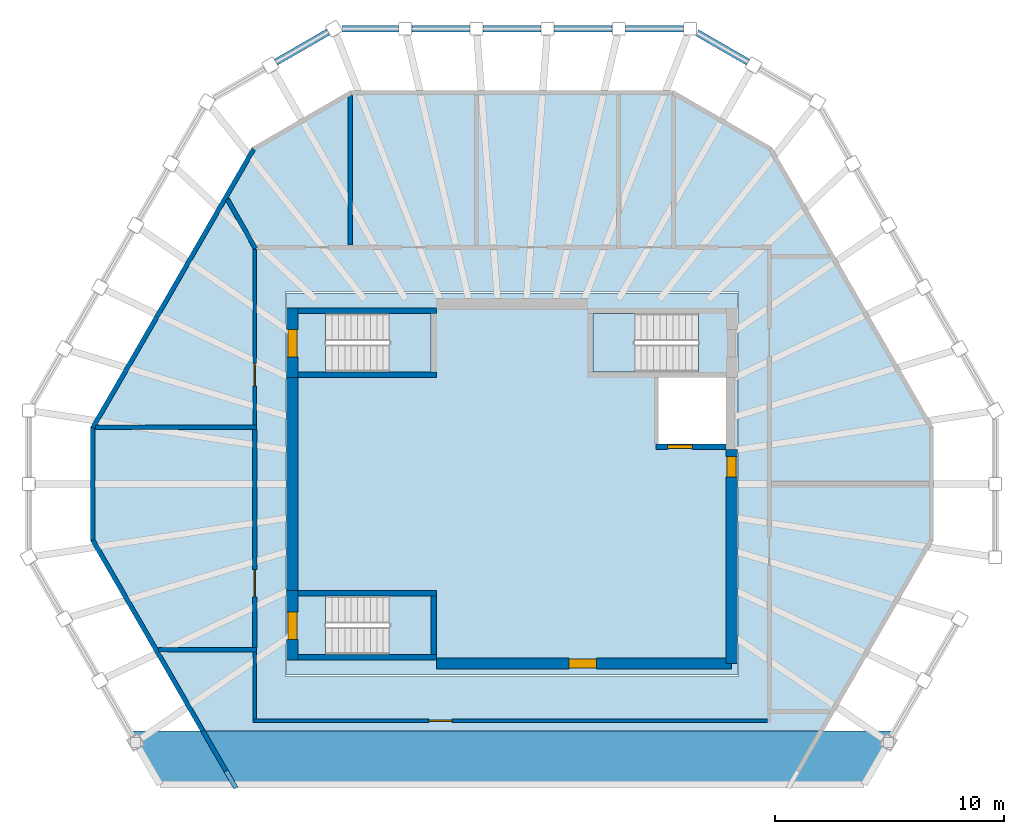
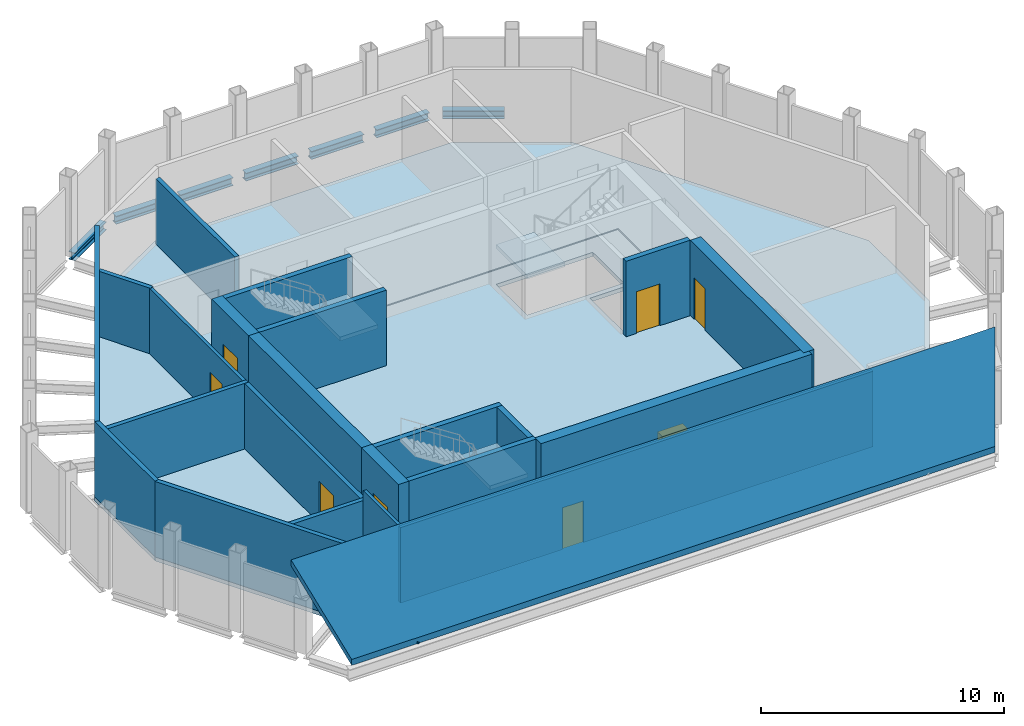
# One storey, part 2 of 5: 23 walls, 8 doors, 7 beams, 6 slabs, 8 openings, 3 elements without a shape of their own.
"""IFC4 building model written with IfcOpenShell, lengths in metres."""

from ifc_helpers import new_model, si_unit, direction, frame, frame_2d, origin, origin_2d, place, context, subcontext, project, spatial, polyline, rectangle, i_section, outline, extrude, material, layer, layer_set, material_profile, profile_set, type_object, element, fill, aggregate, save


model = new_model("IFC4")

# Units and contexts
model_context = context("Model", 3, precision=1e-05, world=origin(), true_north=direction((0.0, 1.0)))
body_context = subcontext(model_context, "Body", "Model", "MODEL_VIEW")
ifc_project = project(units=[si_unit("LENGTHUNIT", "METRE"), si_unit("AREAUNIT", "SQUARE_METRE"), si_unit("VOLUMEUNIT", "CUBIC_METRE"), si_unit("PLANEANGLEUNIT", "RADIAN"), si_unit("MASSUNIT", "GRAM", prefix="KILO")], contexts=[model_context])

# Site, building, storey
site_placement = place(None, origin())
site = spatial("IfcSite", under=ifc_project, at=site_placement, CompositionType="ELEMENT")
building_placement = place(site_placement, origin())
building = spatial("IfcBuilding", under=site, at=building_placement, Name="Frailejon Research Tower", CompositionType="ELEMENT")
storey_placement = place(building_placement, frame((0.0, 0.0, 352.60009765625)))
storey = spatial("IfcBuildingStorey", under=building, at=storey_placement, Name="L79", CompositionType="ELEMENT", Elevation=352.60009765625)

# Beams
ifc_material_1 = material(Name="Steel S355", Category="steel")
ifc_material_profile = material_profile(ifc_material_1, i_section(OverallWidth=0.300048828125, OverallDepth=0.39990234375, WebThickness=0.013427734375, FlangeThickness=0.02392578125, FilletRadius=0.027099609375, at=origin_2d()), Name="HE 400 B")
ifc_profile_set = profile_set([ifc_material_profile], Name="Steel S355")
beam_type = type_object("IfcBeamType", Name="Crown ring beam", PredefinedType="BEAM", material=ifc_profile_set)
beam_1_placement = place(storey_placement, frame((10.303955078125, 18.447021484375, -0.400146484375), z_axis=(-0.866039463868, 0.499975646431, 0.0), x_axis=(-0.499975646431, -0.866039463868, 0.0)))
element("IfcBeam", 1, at=beam_1_placement, inside=storey, type_object=beam_type, Name="Crown ring beam", PredefinedType="BEAM", context=body_context, shape_type="SweptSolid", body=[
    extrude(i_section(OverallWidth=0.300048828125, OverallDepth=0.39990234375, WebThickness=0.013427734375, FlangeThickness=0.02392578125, FilletRadius=0.027099609375, at=origin_2d()), origin(), (0.0, 0.0, 1.0), 2.559814453125),
])
for number, where, z_axis, x_axis, name in (
    (2, (7.4873046875, 19.89990234375, -0.400146484375), (-1.0, 0.0, 0.0), (0.0, -1.0, 0.0), "Crown ring beam"),
    (3, (4.372314453125, 19.89990234375, -0.400146484375), (-1.0, 0.0, 0.0), (0.0, -1.0, 0.0), "Crown ring beam"),
):
    element("IfcBeam", number, at=place(storey_placement, frame(where, z_axis=z_axis, x_axis=x_axis)), inside=storey, type_object=beam_type, Name=name, PredefinedType="BEAM", context=body_context, shape_type="SweptSolid", body=[
        extrude(i_section(OverallWidth=0.300048828125, OverallDepth=0.39990234375, WebThickness=0.013427734375, FlangeThickness=0.02392578125, FilletRadius=0.027099609375, at=origin_2d()), origin(), (0.0, 0.0, 1.0), 2.514892578125),
    ])
beam_2_placement = place(storey_placement, frame((1.25732421875, 19.89990234375, -0.400146484375), z_axis=(-1.0, 0.0, 0.0), x_axis=(0.0, -1.0, 0.0)))
element("IfcBeam", 4, at=beam_2_placement, inside=storey, type_object=beam_type, Name="Crown ring beam", PredefinedType="BEAM", context=body_context, shape_type="SweptSolid", body=[
    extrude(i_section(OverallWidth=0.300048828125, OverallDepth=0.39990234375, WebThickness=0.013427734375, FlangeThickness=0.02392578125, FilletRadius=0.027099609375, at=origin_2d()), origin(), (0.0, 0.0, 1.0), 2.5146484375),
])
beam_3_placement = place(storey_placement, frame((-1.857421875, 19.89990234375, -0.400146484375), z_axis=(-1.0, 0.0, 0.0), x_axis=(0.0, -1.0, 0.0)))
element("IfcBeam", 5, at=beam_3_placement, inside=storey, type_object=beam_type, Name="Crown ring beam", PredefinedType="BEAM", context=body_context, shape_type="SweptSolid", body=[
    extrude(i_section(OverallWidth=0.300048828125, OverallDepth=0.39990234375, WebThickness=0.013427734375, FlangeThickness=0.02392578125, FilletRadius=0.027099609375, at=origin_2d()), origin(), (0.0, 0.0, 1.0), 2.514892578125),
])
beam_4_placement = place(storey_placement, frame((-4.972412109375, 19.89990234375, -0.400146484375), z_axis=(-1.0, 0.0, 0.0), x_axis=(0.0, -1.0, 0.0)))
element("IfcBeam", 6, at=beam_4_placement, inside=storey, type_object=beam_type, Name="Crown ring beam", PredefinedType="BEAM", context=body_context, shape_type="SweptSolid", body=[
    extrude(i_section(OverallWidth=0.300048828125, OverallDepth=0.39990234375, WebThickness=0.013427734375, FlangeThickness=0.02392578125, FilletRadius=0.027099609375, at=origin_2d()), origin(), (0.0, 0.0, 1.0), 2.468505859375),
])
beam_5_placement = place(storey_placement, frame((-8.047119140625, 19.75, -0.400146484375), z_axis=(-0.866026453994, -0.499998180979, 0.0), x_axis=(0.499998180979, -0.866026453994, 0.0)))
element("IfcBeam", 7, at=beam_5_placement, inside=storey, type_object=beam_type, Name="Crown ring beam", PredefinedType="BEAM", context=body_context, shape_type="SweptSolid", body=[
    extrude(i_section(OverallWidth=0.300048828125, OverallDepth=0.39990234375, WebThickness=0.013427734375, FlangeThickness=0.02392578125, FilletRadius=0.027099609375, at=origin_2d()), origin(), (0.0, 0.0, 1.0), 2.60595703125),
])

# Slabs
ifc_material_2 = material(Name="Concrete C50/60", Category="concrete")
ifc_layer_1 = layer(ifc_material_2, 0.199951171875)
ifc_layer_set_1 = layer_set([ifc_layer_1], Name="Core floor slab 200 C50/60")
slab_type_1 = type_object("IfcSlabType", Name="Core floor slab 200 C50/60", PredefinedType="FLOOR", material=ifc_layer_set_1)
slab_1_placement = place(storey_placement, frame((0.0, 0.0, -0.2001953125)))
element("IfcSlab", 8, at=slab_1_placement, inside=storey, type_object=slab_type_1, Name="Core floor slab", PredefinedType="FLOOR", context=body_context, shape_type="SweptSolid", body=[
    extrude(outline(polyline([(-9.85009765625, -8.35009765625), (-9.85009765625, 8.35009765625), (9.85009765625, 8.35009765625), (9.85009765625, -8.35009765625), (-9.85009765625, -8.35009765625)]), holes=[polyline([(9.35009765625, 1.75), (9.35009765625, 4.64990234375), (6.39990234375, 4.64990234375), (6.39990234375, 1.75), (9.35009765625, 1.75)]), polyline([(-8.14697265625, 4.89990234375), (-3.550048828125, 4.89990234375), (-3.550048828125, 7.449951171875), (-8.14697265625, 7.449951171875), (-8.14697265625, 4.89990234375)]), polyline([(-8.14697265625, -7.449951171875), (-3.550048828125, -7.449951171875), (-3.550048828125, -4.89990234375), (-8.14697265625, -4.89990234375), (-8.14697265625, -7.449951171875)]), polyline([(8.14697265625, 7.449951171875), (3.550048828125, 7.449951171875), (3.550048828125, 4.89990234375), (8.14697265625, 4.89990234375), (8.14697265625, 7.449951171875)])]), origin(), (0.0, 0.0, 1.0), 0.2001953125),
])
ifc_material_3 = material(Name="Safety glass roof panel on steel frame", Category="steel")
ifc_layer_2 = layer(ifc_material_3, 0.300048828125)
ifc_layer_set_2 = layer_set([ifc_layer_2], Name="Crown glazed roof facet 300")
slab_type_2 = type_object("IfcSlabType", Name="Crown glazed roof facet 300", PredefinedType="ROOF", material=ifc_layer_set_2)
slab_2_placement = place(storey_placement, frame((-16.747314453125, -10.792724609375, 4.0), z_axis=(0.0, -0.848044827073, 0.529924495824), x_axis=(1.0, 0.0, 0.0)))
element("IfcSlab", 9, at=slab_2_placement, inside=storey, type_object=slab_type_2, Name="Crown glazed roof facet 3", PredefinedType="ROOF", context=body_context, shape_type="SweptSolid", body=[
    extrude(outline(polyline([(0.0, 0.0), (33.49462890625, 0.0), (32.051513671875, -4.716731795657729), (1.443115234375, -4.716731795657729), (0.0, 0.0)])), origin(), (0.0, 0.848044827073, 0.529924495824), 0.300048828125),
])
ifc_material_4 = material(Name="Concrete C30/37", Category="concrete")
ifc_layer_3 = layer(ifc_material_4, 0.199951171875)
ifc_layer_set_3 = layer_set([ifc_layer_3], Name="Crown slab 200")
slab_type_3 = type_object("IfcSlabType", Name="Crown slab 200", PredefinedType="FLOOR", material=ifc_layer_set_3)
slab_3_placement = place(storey_placement, frame((0.0, 0.0, -0.2001953125)))
element("IfcSlab", 10, at=slab_3_placement, inside=storey, type_object=slab_type_3, Name="Floor slab L79", PredefinedType="FLOOR", context=body_context, shape_type="SweptSolid", body=[
    extrude(outline(polyline([(-11.36376953125, 14.71728515625), (-18.427490234375, 2.482666015625), (-18.427490234375, -2.482666015625), (-12.439208984375, -12.854736328125), (12.439208984375, -12.854736328125), (18.427490234375, -2.482666015625), (18.427490234375, 2.482666015625), (11.36376953125, 14.71728515625), (7.063720703125, 17.199951171875), (-7.063720703125, 17.199951171875), (-11.36376953125, 14.71728515625)]), holes=[polyline([(9.909912109375, 8.409912109375), (9.909912109375, -8.409912109375), (-9.909912109375, -8.409912109375), (-9.909912109375, 8.409912109375), (9.909912109375, 8.409912109375)])]), origin(), (0.0, 0.0, 1.0), 0.2001953125),
])

# Stair, slab
ifc_material_5 = material(Name="Concrete C50/60", Category="concrete")
stair_type = type_object("IfcStairType", Name="Exit stair 22 risers", PredefinedType="HALF_TURN_STAIR", material=ifc_material_5)
stair_1_placement = place(storey_placement, origin())
stair_1 = element("IfcStair", 11, at=stair_1_placement, inside=storey, type_object=stair_type, Name="L79 Exit stair ST1", PredefinedType="HALF_TURN_STAIR")
ifc_material_6 = material(Name="Concrete C50/60", Category="concrete")
ifc_layer_4 = layer(ifc_material_6, 0.199951171875)
ifc_layer_set_4 = layer_set([ifc_layer_4], Name="Stair landing slab 200")
slab_type_4 = type_object("IfcSlabType", Name="Stair landing slab 200", PredefinedType="LANDING", material=ifc_layer_set_4)
slab_4_placement = place(storey_placement, frame((0.0, 0.0, 1.7998046875)))
slab_4 = element("IfcSlab", 12, at=slab_4_placement, type_object=slab_type_4, Name="ST1 landing 1", PredefinedType="LANDING", context=body_context, shape_type="SweptSolid", body=[
    extrude(outline(polyline([(-5.35009765625, 4.89990234375), (-3.550048828125, 4.89990234375), (-3.550048828125, 7.449951171875), (-5.35009765625, 7.449951171875), (-5.35009765625, 4.89990234375)])), origin(), (0.0, 0.0, 1.0), 0.2001953125),
])
aggregate(stair_1, [slab_4])

stair_2_placement = place(storey_placement, origin())
stair_2 = element("IfcStair", 13, at=stair_2_placement, inside=storey, type_object=stair_type, Name="L79 Exit stair ST2", PredefinedType="HALF_TURN_STAIR")
slab_5_placement = place(storey_placement, frame((0.0, 0.0, 1.7998046875)))
slab_5 = element("IfcSlab", 14, at=slab_5_placement, type_object=slab_type_4, Name="ST2 landing 1", PredefinedType="LANDING", context=body_context, shape_type="SweptSolid", body=[
    extrude(outline(polyline([(-5.35009765625, -7.449951171875), (-3.550048828125, -7.449951171875), (-3.550048828125, -4.89990234375), (-5.35009765625, -4.89990234375), (-5.35009765625, -7.449951171875)])), origin(), (0.0, 0.0, 1.0), 0.2001953125),
])
aggregate(stair_2, [slab_5])

stair_3_placement = place(storey_placement, origin())
stair_3 = element("IfcStair", 15, at=stair_3_placement, inside=storey, type_object=stair_type, Name="L79 Exit stair ST3", PredefinedType="HALF_TURN_STAIR")
slab_6_placement = place(storey_placement, frame((0.0, 0.0, 1.7998046875)))
slab_6 = element("IfcSlab", 16, at=slab_6_placement, type_object=slab_type_4, Name="ST3 landing 1", PredefinedType="LANDING", context=body_context, shape_type="SweptSolid", body=[
    extrude(outline(polyline([(5.35009765625, 7.449951171875), (3.550048828125, 7.449951171875), (3.550048828125, 4.89990234375), (5.35009765625, 4.89990234375), (5.35009765625, 7.449951171875)])), origin(), (0.0, 0.0, 1.0), 0.2001953125),
])
aggregate(stair_3, [slab_6])

# Wall, opening, door
ifc_material_7 = material(Name="Concrete C50/60", Category="concrete")
ifc_layer_5 = layer(ifc_material_7, 0.5)
ifc_layer_set_5 = layer_set([ifc_layer_5], Name="Core shear wall 500 C50/60")
wall_type_1 = type_object("IfcWallType", Name="Core shear wall 500 C50/60", PredefinedType="SHEAR", material=ifc_layer_set_5)
wall_1_placement = place(storey_placement, frame((9.60009765625, -7.85009765625, 0.0), z_axis=(0.0, 0.0, 1.0), x_axis=(0.0, 1.0, 0.0)))
wall_1 = element("IfcWall", 17, at=wall_1_placement, inside=storey, type_object=wall_type_1, Name="Core shear wall", PredefinedType="SHEAR", context=body_context, shape_type="SweptSolid", body=[
    extrude(rectangle(XDim=9.35009765625, YDim=0.5, at=frame_2d((4.675048828125, 0.0))), origin(), (0.0, 0.0, 1.0), 3.7998046875),
])
opening_1_placement = place(wall_1_placement, frame((8.14990234375, 0.0, 0.0)))
opening_1 = element("IfcOpeningElement", 18, at=opening_1_placement, cuts=wall_1, Name="Opening D8", PredefinedType="OPENING", context=body_context, shape_type="SweptSolid", body=[
    extrude(rectangle(XDim=0.89990234375, YDim=2.10009765625, at=frame_2d((0.449951171875, 1.050048828125))), frame((0.0, 0.260009765625, 0.0), z_axis=(0.0, -1.0, 0.0), x_axis=(1.0, 0.0, 0.0)), (0.0, 0.0, 1.0), 0.52001953125),
])
ifc_material_8 = material(Name="Steel", Category="steel")
door_type_1 = type_object("IfcDoorType", Name="Core room door", OperationType="SINGLE_SWING_LEFT", PredefinedType="DOOR", material=ifc_material_8)
door_1_placement = place(opening_1_placement, origin())
door_1 = element("IfcDoor", 19, at=door_1_placement, inside=storey, type_object=door_type_1, Name="Lift lobby door", OperationType="SINGLE_SWING_LEFT", OverallHeight=2.10009765625, OverallWidth=0.89990234375, PredefinedType="DOOR", context=body_context, shape_type="SweptSolid", body=[
    extrude(rectangle(XDim=0.89990234375, YDim=2.10009765625, at=frame_2d((0.449951171875, 1.050048828125))), frame((0.0, 0.199951171875, 0.0), z_axis=(0.0, -1.0, 0.0), x_axis=(1.0, 0.0, 0.0)), (0.0, 0.0, 1.0), 0.39990234375),
])
fill(opening_1, door_1)

# Wall
wall_2_placement = place(storey_placement, frame((-9.60009765625, 4.64990234375, 0.0), z_axis=(0.0, 0.0, 1.0), x_axis=(0.0, -1.0, 0.0)))
element("IfcWall", 20, at=wall_2_placement, inside=storey, type_object=wall_type_1, Name="Core shear wall", PredefinedType="SHEAR", context=body_context, shape_type="SweptSolid", body=[
    extrude(rectangle(XDim=9.2998046875, YDim=0.5, at=frame_2d((4.64990234375, 0.0))), origin(), (0.0, 0.0, 1.0), 3.7998046875),
])

# Wall, opening, door
wall_3_placement = place(storey_placement, frame((-3.300048828125, -7.85009765625, 0.0), z_axis=(0.0, 0.0, 1.0), x_axis=(1.0, 0.0, 0.0)))
wall_3 = element("IfcWall", 21, at=wall_3_placement, inside=storey, type_object=wall_type_1, Name="Core shear wall", PredefinedType="SHEAR", context=body_context, shape_type="SweptSolid", body=[
    extrude(rectangle(XDim=12.900146484375, YDim=0.5, at=frame_2d((6.4501953125, 0.0))), origin(), (0.0, 0.0, 1.0), 3.7998046875),
])
opening_2_placement = place(wall_3_placement, frame((5.800048828125, 0.0, 0.0)))
opening_2 = element("IfcOpeningElement", 22, at=opening_2_placement, cuts=wall_3, Name="Opening D6", PredefinedType="OPENING", context=body_context, shape_type="SweptSolid", body=[
    extrude(rectangle(XDim=1.199951171875, YDim=2.10009765625, at=frame_2d((0.60009765625, 1.050048828125))), frame((0.0, 0.260009765625, 0.0), z_axis=(0.0, -1.0, 0.0), x_axis=(1.0, 0.0, 0.0)), (0.0, 0.0, 1.0), 0.52001953125),
])
ifc_material_9 = material(Name="Steel", Category="steel")
door_type_2 = type_object("IfcDoorType", Name="Plant door", OperationType="SINGLE_SWING_LEFT", PredefinedType="DOOR", material=ifc_material_9)
door_2_placement = place(opening_2_placement, origin())
door_2 = element("IfcDoor", 23, at=door_2_placement, inside=storey, type_object=door_type_2, Name="Room door", OperationType="SINGLE_SWING_RIGHT", OverallHeight=2.10009765625, OverallWidth=1.199951171875, PredefinedType="DOOR", context=body_context, shape_type="SweptSolid", body=[
    extrude(rectangle(XDim=1.199951171875, YDim=2.10009765625, at=frame_2d((0.60009765625, 1.050048828125))), frame((0.0, 0.199951171875, 0.0), z_axis=(0.0, -1.0, 0.0), x_axis=(1.0, 0.0, 0.0)), (0.0, 0.0, 1.0), 0.39990234375),
])
fill(opening_2, door_2)

wall_4_placement = place(storey_placement, frame((-9.60009765625, 4.64990234375, 0.0), z_axis=(0.0, 0.0, 1.0), x_axis=(0.0, 1.0, 0.0)))
wall_4 = element("IfcWall", 24, at=wall_4_placement, inside=storey, type_object=wall_type_1, Name="Core shear wall", PredefinedType="SHEAR", context=body_context, shape_type="SweptSolid", body=[
    extrude(rectangle(XDim=3.050048828125, YDim=0.5, at=frame_2d((1.52490234375, 0.0))), origin(), (0.0, 0.0, 1.0), 3.7998046875),
])
opening_3_placement = place(wall_4_placement, frame((0.89990234375, 0.0, 0.0)))
opening_3 = element("IfcOpeningElement", 25, at=opening_3_placement, cuts=wall_4, Name="Opening D7", PredefinedType="OPENING", context=body_context, shape_type="SweptSolid", body=[
    extrude(rectangle(XDim=1.199951171875, YDim=2.10009765625, at=frame_2d((0.60009765625, 1.050048828125))), frame((0.0, 0.260009765625, 0.0), z_axis=(0.0, -1.0, 0.0), x_axis=(1.0, 0.0, 0.0)), (0.0, 0.0, 1.0), 0.52001953125),
])
ifc_material_10 = material(Name="Steel", Category="steel")
door_type_3 = type_object("IfcDoorType", Name="Stair exit door", OperationType="SINGLE_SWING_LEFT", PredefinedType="DOOR", material=ifc_material_10)
door_3_placement = place(opening_3_placement, origin())
door_3 = element("IfcDoor", 26, at=door_3_placement, inside=storey, type_object=door_type_3, Name="Stair door ST1", OperationType="SINGLE_SWING_LEFT", OverallHeight=2.10009765625, OverallWidth=1.199951171875, PredefinedType="DOOR", context=body_context, shape_type="SweptSolid", body=[
    extrude(rectangle(XDim=1.199951171875, YDim=2.10009765625, at=frame_2d((0.60009765625, 1.050048828125))), frame((0.0, 0.199951171875, 0.0), z_axis=(0.0, -1.0, 0.0), x_axis=(1.0, 0.0, 0.0)), (0.0, 0.0, 1.0), 0.39990234375),
])
fill(opening_3, door_3)

wall_5_placement = place(storey_placement, frame((-9.60009765625, -7.699951171875, 0.0), z_axis=(0.0, 0.0, 1.0), x_axis=(0.0, 1.0, 0.0)))
wall_5 = element("IfcWall", 27, at=wall_5_placement, inside=storey, type_object=wall_type_1, Name="Core shear wall", PredefinedType="SHEAR", context=body_context, shape_type="SweptSolid", body=[
    extrude(rectangle(XDim=3.050048828125, YDim=0.5, at=frame_2d((1.52490234375, 0.0))), origin(), (0.0, 0.0, 1.0), 3.7998046875),
])
opening_4_placement = place(wall_5_placement, frame((0.89990234375, 0.0, 0.0)))
opening_4 = element("IfcOpeningElement", 28, at=opening_4_placement, cuts=wall_5, Name="Opening D7", PredefinedType="OPENING", context=body_context, shape_type="SweptSolid", body=[
    extrude(rectangle(XDim=1.199951171875, YDim=2.10009765625, at=frame_2d((0.60009765625, 1.050048828125))), frame((0.0, 0.260009765625, 0.0), z_axis=(0.0, -1.0, 0.0), x_axis=(1.0, 0.0, 0.0)), (0.0, 0.0, 1.0), 0.52001953125),
])
door_4_placement = place(opening_4_placement, origin())
door_4 = element("IfcDoor", 29, at=door_4_placement, inside=storey, type_object=door_type_3, Name="Stair door ST2", OperationType="SINGLE_SWING_RIGHT", OverallHeight=2.10009765625, OverallWidth=1.199951171875, PredefinedType="DOOR", context=body_context, shape_type="SweptSolid", body=[
    extrude(rectangle(XDim=1.199951171875, YDim=2.10009765625, at=frame_2d((0.60009765625, 1.050048828125))), frame((0.0, 0.199951171875, 0.0), z_axis=(0.0, -1.0, 0.0), x_axis=(1.0, 0.0, 0.0)), (0.0, 0.0, 1.0), 0.39990234375),
])
fill(opening_4, door_4)

# Wall
ifc_material_11 = material(Name="Gypsum board and masonry partition", Category="masonry")
ifc_layer_6 = layer(ifc_material_11, 0.14990234375)
ifc_layer_set_6 = layer_set([ifc_layer_6], Name="Corridor wall EI 60, gypsum on steel studs 150")
wall_type_2 = type_object("IfcWallType", Name="Corridor wall EI 60, gypsum on steel studs 150", PredefinedType="PARTITIONING", material=ifc_layer_set_6)
wall_6_placement = place(storey_placement, frame((-11.25, -10.27490234375, 0.0), z_axis=(0.0, 0.0, 1.0), x_axis=(0.0, 1.0, 0.0)))
element("IfcWall", 30, at=wall_6_placement, inside=storey, type_object=wall_type_2, Name="T:IW:L79:002", PredefinedType="PARTITIONING", context=body_context, shape_type="SweptSolid", body=[
    extrude(rectangle(XDim=2.923583984375, YDim=0.14990234375, at=frame_2d((1.4619140625, 0.0))), origin(), (0.0, 0.0, 1.0), 3.7998046875),
])

# Wall, opening, door
wall_7_placement = place(storey_placement, frame((-11.25, 2.58251953125, 0.0), z_axis=(0.0, 0.0, 1.0), x_axis=(0.0, 1.0, 0.0)))
wall_7 = element("IfcWall", 31, at=wall_7_placement, inside=storey, type_object=wall_type_2, Name="T:IW:L79:003", PredefinedType="PARTITIONING", context=body_context, shape_type="SweptSolid", body=[
    extrude(rectangle(XDim=7.66748046875, YDim=0.14990234375, at=frame_2d((3.833740234375, 0.0))), origin(), (0.0, 0.0, 1.0), 3.2998046875),
])
opening_5_placement = place(wall_7_placement, frame((1.69140625, 0.0, 0.0)))
opening_5 = element("IfcOpeningElement", 32, at=opening_5_placement, cuts=wall_7, Name="Opening D1188", PredefinedType="OPENING", context=body_context, shape_type="SweptSolid", body=[
    extrude(rectangle(XDim=1.0, YDim=2.10009765625, at=frame_2d((0.5, 1.050048828125))), frame((0.0, 0.0849609375, 0.0), z_axis=(0.0, -1.0, 0.0), x_axis=(1.0, 0.0, 0.0)), (0.0, 0.0, 1.0), 0.169921875),
])
ifc_material_12 = material(Name="Steel door leaf", Category="steel")
door_type_4 = type_object("IfcDoorType", Name="Door plant room, steel 1000", OperationType="NOTDEFINED", PredefinedType="DOOR", material=ifc_material_12)
door_5_placement = place(opening_5_placement, origin())
door_5 = element("IfcDoor", 33, at=door_5_placement, inside=storey, type_object=door_type_4, Name="D1188", OperationType="SINGLE_SWING_RIGHT", OverallHeight=2.10009765625, OverallWidth=1.0, PredefinedType="DOOR", context=body_context, shape_type="SweptSolid", body=[
    extrude(rectangle(XDim=1.0, YDim=2.10009765625, at=frame_2d((0.5, 1.050048828125))), frame((0.0, 0.02490234375, 0.0), z_axis=(0.0, -1.0, 0.0), x_axis=(1.0, 0.0, 0.0)), (0.0, 0.0, 1.0), 0.050048828125),
])
fill(opening_5, door_5)

wall_8_placement = place(storey_placement, frame((-11.324951171875, -10.35009765625, 0.0), z_axis=(0.0, 0.0, 1.0), x_axis=(1.0, 0.0, 0.0)))
wall_8 = element("IfcWall", 34, at=wall_8_placement, inside=storey, type_object=wall_type_2, Name="T:IW:L79:004", PredefinedType="PARTITIONING", context=body_context, shape_type="SweptSolid", body=[
    extrude(rectangle(XDim=22.5, YDim=0.14990234375, at=frame_2d((11.25, 0.0))), origin(), (0.0, 0.0, 1.0), 3.7998046875),
])
opening_6_placement = place(wall_8_placement, frame((7.705078125, 0.0, 0.0)))
opening_6 = element("IfcOpeningElement", 35, at=opening_6_placement, cuts=wall_8, Name="Opening D1190", PredefinedType="OPENING", context=body_context, shape_type="SweptSolid", body=[
    extrude(rectangle(XDim=1.0, YDim=2.10009765625, at=frame_2d((0.5, 1.050048828125))), frame((0.0, 0.0849609375, 0.0), z_axis=(0.0, -1.0, 0.0), x_axis=(1.0, 0.0, 0.0)), (0.0, 0.0, 1.0), 0.169921875),
])
ifc_material_13 = material(Name="Timber door leaf", Category="wood")
door_type_5 = type_object("IfcDoorType", Name="Door single leaf, timber, steel frame 1000", OperationType="NOTDEFINED", PredefinedType="DOOR", material=ifc_material_13)
door_6_placement = place(opening_6_placement, origin())
door_6 = element("IfcDoor", 36, at=door_6_placement, inside=storey, type_object=door_type_5, Name="D1190", OperationType="SINGLE_SWING_LEFT", OverallHeight=2.10009765625, OverallWidth=1.0, PredefinedType="DOOR", context=body_context, shape_type="SweptSolid", body=[
    extrude(rectangle(XDim=1.0, YDim=2.10009765625, at=frame_2d((0.5, 1.050048828125))), frame((0.0, 0.02490234375, 0.0), z_axis=(0.0, -1.0, 0.0), x_axis=(1.0, 0.0, 0.0)), (0.0, 0.0, 1.0), 0.050048828125),
])
fill(opening_6, door_6)

# Walls
ifc_material_14 = material(Name="Aluminium louvre cladding panel", Category="aluminium")
ifc_layer_7 = layer(ifc_material_14, 0.199951171875)
ifc_layer_set_7 = layer_set([ifc_layer_7], Name="Crown louvred wall 200")
wall_type_3 = type_object("IfcWallType", Name="Crown louvred wall 200", PredefinedType="SOLIDWALL", material=ifc_layer_set_7)
wall_9_placement = place(storey_placement, frame((-11.29052734375, 14.644287109375, 0.0), z_axis=(0.0, 0.0, 1.0), x_axis=(-0.499991740577, -0.866030172312, 0.0)))
element("IfcWall", 37, at=wall_9_placement, inside=storey, type_object=wall_type_3, Name="Crown louvred wall L79", PredefinedType="SOLIDWALL", context=body_context, shape_type="SweptSolid", body=[
    extrude(outline(polyline([(-0.02685546875, -0.10009765625), (14.100830078125, -0.10009765625), (14.047119140625, 0.10009765625), (0.02685546875, 0.10009765625), (-0.02685546875, -0.10009765625)])), origin(), (0.0, 0.0, 1.0), 3.7998046875),
])
wall_10_placement = place(storey_placement, frame((-18.327392578125, 2.455810546875, 0.0), z_axis=(0.0, 0.0, 1.0), x_axis=(0.0, -1.0, 0.0)))
element("IfcWall", 38, at=wall_10_placement, inside=storey, type_object=wall_type_3, Name="Crown louvred wall L79", PredefinedType="SOLIDWALL", context=body_context, shape_type="SweptSolid", body=[
    extrude(outline(polyline([(-0.02685546875, -0.10009765625), (4.9384765625, -0.10009765625), (4.884765625, 0.10009765625), (0.02685546875, 0.10009765625), (-0.02685546875, -0.10009765625)])), origin(), (0.0, 0.0, 1.0), 3.7998046875),
])
wall_11_placement = place(storey_placement, frame((-18.327392578125, -2.455810546875, 0.0), z_axis=(0.0, 0.0, 1.0), x_axis=(0.499993209709, -0.866029324125, 0.0)))
element("IfcWall", 39, at=wall_11_placement, inside=storey, type_object=wall_type_3, Name="Crown louvred wall L79", PredefinedType="SOLIDWALL", context=body_context, shape_type="SweptSolid", body=[
    extrude(outline(polyline([(-0.02685546875, -0.10009765625), (9.626708984375, -0.10009765625), (9.626708984375, 0.10009765625), (0.02685546875, 0.10009765625), (-0.02685546875, -0.10009765625)])), origin(), (0.0, 0.0, 1.0), 3.7998046875),
])
wall_12_placement = place(storey_placement, frame((-13.51416015625, -10.792724609375, 0.0), z_axis=(0.0, 0.0, 1.0), x_axis=(0.500005579313, -0.866022182542, 0.0)))
element("IfcWall", 40, at=wall_12_placement, inside=storey, type_object=wall_type_3, Name="Crown louvred wall L79", PredefinedType="SOLIDWALL", context=body_context, shape_type="SweptSolid", body=[
    extrude(outline(polyline([(0.0, 0.0), (2.88623046875, 0.0), (2.885986328125, 0.02978515625), (0.0, 4.0), (0.0, 0.0)])), frame((0.0, 0.10009765625, 0.0), z_axis=(0.0, -1.0, 0.0), x_axis=(1.0, 0.0, 0.0)), (0.0, 0.0, 1.0), 0.199951171875),
])

# Wall, opening, door
ifc_material_15 = material(Name="Gypsum board and masonry partition", Category="masonry")
ifc_layer_8 = layer(ifc_material_15, 0.199951171875)
ifc_layer_set_8 = layer_set([ifc_layer_8], Name="Plant enclosure wall, blockwork 200")
wall_type_4 = type_object("IfcWallType", Name="Plant enclosure wall, blockwork 200", PredefinedType="PARTITIONING", material=ifc_layer_set_8)
wall_13_placement = place(storey_placement, frame((-11.25, -7.151123046875, 0.0), z_axis=(0.0, 0.0, 1.0), x_axis=(0.0, 1.0, 0.0)))
wall_13 = element("IfcWall", 41, at=wall_13_placement, inside=storey, type_object=wall_type_4, Name="T:IW:L79:009", PredefinedType="PARTITIONING", context=body_context, shape_type="SweptSolid", body=[
    extrude(rectangle(XDim=9.53369140625, YDim=0.199951171875, at=frame_2d((4.766845703125, 0.0))), origin(), (0.0, 0.0, 1.0), 3.2998046875),
])
opening_7_placement = place(wall_13_placement, frame((2.20849609375, 0.0, 0.0)))
opening_7 = element("IfcOpeningElement", 42, at=opening_7_placement, cuts=wall_13, Name="Opening D1189", PredefinedType="OPENING", context=body_context, shape_type="SweptSolid", body=[
    extrude(rectangle(XDim=1.199951171875, YDim=2.10009765625, at=frame_2d((0.60009765625, 1.050048828125))), frame((0.0, 0.10986328125, 0.0), z_axis=(0.0, -1.0, 0.0), x_axis=(1.0, 0.0, 0.0)), (0.0, 0.0, 1.0), 0.219970703125),
])
ifc_material_16 = material(Name="Steel door leaf", Category="steel")
door_type_6 = type_object("IfcDoorType", Name="Door plant room, steel 1200", OperationType="NOTDEFINED", PredefinedType="DOOR", material=ifc_material_16)
door_7_placement = place(opening_7_placement, origin())
door_7 = element("IfcDoor", 43, at=door_7_placement, inside=storey, type_object=door_type_6, Name="D1189", OperationType="DOUBLE_DOOR_SINGLE_SWING", OverallHeight=2.10009765625, OverallWidth=1.199951171875, PredefinedType="DOOR", context=body_context, shape_type="SweptSolid", body=[
    extrude(rectangle(XDim=1.199951171875, YDim=2.10009765625, at=frame_2d((0.60009765625, 1.050048828125))), frame((0.0, 0.02490234375, 0.0), z_axis=(0.0, -1.0, 0.0), x_axis=(1.0, 0.0, 0.0)), (0.0, 0.0, 1.0), 0.050048828125),
])
fill(opening_7, door_7)

# Walls
wall_14_placement = place(storey_placement, frame((-7.063720703125, 10.449951171875, 0.0), z_axis=(0.0, 0.0, 1.0), x_axis=(0.0, 1.0, 0.0)))
element("IfcWall", 44, at=wall_14_placement, inside=storey, type_object=wall_type_4, Name="T:IW:L79:015", PredefinedType="PARTITIONING", context=body_context, shape_type="SweptSolid", body=[
    extrude(rectangle(XDim=6.51904296875, YDim=0.199951171875, at=frame_2d((3.259521484375, 0.0))), origin(), (0.0, 0.0, 1.0), 3.2998046875),
])
wall_15_placement = place(storey_placement, frame((-12.444580078125, 12.4453125, 0.0), z_axis=(0.0, 0.0, 1.0), x_axis=(0.495282327186, -0.868732073989, 0.0)))
element("IfcWall", 45, at=wall_15_placement, inside=storey, type_object=wall_type_4, Name="T:IW:L79:016", PredefinedType="PARTITIONING", context=body_context, shape_type="SweptSolid", body=[
    extrude(rectangle(XDim=2.48681640625, YDim=0.199951171875, at=frame_2d((1.243408203125, 0.0))), origin(), (0.0, 0.0, 1.0), 3.2998046875),
])
wall_16_placement = place(storey_placement, frame((-18.196533203125, 2.482666015625, 0.0), z_axis=(0.0, 0.0, 1.0), x_axis=(1.0, 0.0, 0.0)))
element("IfcWall", 46, at=wall_16_placement, inside=storey, type_object=wall_type_4, Name="T:IW:L79:017", PredefinedType="PARTITIONING", context=body_context, shape_type="SweptSolid", body=[
    extrude(rectangle(XDim=7.021484375, YDim=0.199951171875, at=frame_2d((3.5107421875, 0.0))), origin(), (0.0, 0.0, 1.0), 3.2998046875),
])
wall_17_placement = place(storey_placement, frame((-15.443359375, -7.251220703125, 0.0), z_axis=(0.0, 0.0, 1.0), x_axis=(1.0, 0.0, 0.0)))
element("IfcWall", 47, at=wall_17_placement, inside=storey, type_object=wall_type_4, Name="T:IW:L79:018", PredefinedType="PARTITIONING", context=body_context, shape_type="SweptSolid", body=[
    extrude(rectangle(XDim=4.268310546875, YDim=0.199951171875, at=frame_2d((2.13427734375, 0.0))), origin(), (0.0, 0.0, 1.0), 3.2998046875),
])
ifc_material_17 = material(Name="Concrete C50/60", Category="concrete")
ifc_layer_9 = layer(ifc_material_17, 0.25)
ifc_layer_set_9 = layer_set([ifc_layer_9], Name="Shaft wall 250 C50/60")
wall_type_5 = type_object("IfcWallType", Name="Shaft wall 250 C50/60", PredefinedType="SOLIDWALL", material=ifc_layer_set_9)
for number, where, z_axis, x_axis, name in (
    (48, (-9.35009765625, 4.77490234375, 0.0), (0.0, 0.0, 1.0), (1.0, 0.0, 0.0), "Shaft wall"),
    (49, (-9.35009765625, 7.574951171875, 0.0), (0.0, 0.0, 1.0), (1.0, 0.0, 0.0), "Shaft wall"),
):
    element("IfcWall", number, at=place(storey_placement, frame(where, z_axis=z_axis, x_axis=x_axis)), inside=storey, type_object=wall_type_5, Name=name, PredefinedType="SOLIDWALL", context=body_context, shape_type="SweptSolid", body=[
        extrude(rectangle(XDim=6.050048828125, YDim=0.25, at=frame_2d((3.02490234375, 0.0))), origin(), (0.0, 0.0, 1.0), 3.7998046875),
    ])
wall_18_placement = place(storey_placement, frame((-3.425048828125, -7.449951171875, 0.0), z_axis=(0.0, 0.0, 1.0), x_axis=(0.0, 1.0, 0.0)))
element("IfcWall", 50, at=wall_18_placement, inside=storey, type_object=wall_type_5, Name="Shaft wall", PredefinedType="SOLIDWALL", context=body_context, shape_type="SweptSolid", body=[
    extrude(rectangle(XDim=2.550048828125, YDim=0.25, at=frame_2d((1.27490234375, 0.0))), origin(), (0.0, 0.0, 1.0), 3.7998046875),
])
for number, where, z_axis, x_axis, name in (
    (51, (-9.35009765625, -7.574951171875, 0.0), (0.0, 0.0, 1.0), (1.0, 0.0, 0.0), "Shaft wall"),
    (52, (-9.35009765625, -4.77490234375, 0.0), (0.0, 0.0, 1.0), (1.0, 0.0, 0.0), "Shaft wall"),
):
    element("IfcWall", number, at=place(storey_placement, frame(where, z_axis=z_axis, x_axis=x_axis)), inside=storey, type_object=wall_type_5, Name=name, PredefinedType="SOLIDWALL", context=body_context, shape_type="SweptSolid", body=[
        extrude(rectangle(XDim=6.050048828125, YDim=0.25, at=frame_2d((3.02490234375, 0.0))), origin(), (0.0, 0.0, 1.0), 3.7998046875),
    ])

# Wall, opening, door
wall_19_placement = place(storey_placement, frame((6.300048828125, 1.625, 0.0), z_axis=(0.0, 0.0, 1.0), x_axis=(1.0, 0.0, 0.0)))
wall_19 = element("IfcWall", 53, at=wall_19_placement, inside=storey, type_object=wall_type_5, Name="Shaft wall", PredefinedType="SOLIDWALL", context=body_context, shape_type="SweptSolid", body=[
    extrude(rectangle(XDim=3.050048828125, YDim=0.25, at=frame_2d((1.52490234375, 0.0))), origin(), (0.0, 0.0, 1.0), 3.7998046875),
])
opening_8_placement = place(wall_19_placement, frame((0.5, 0.0, 0.0)))
opening_8 = element("IfcOpeningElement", 54, at=opening_8_placement, cuts=wall_19, Name="Opening LD", PredefinedType="OPENING", context=body_context, shape_type="SweptSolid", body=[
    extrude(rectangle(XDim=1.10009765625, YDim=2.10009765625, at=frame_2d((0.550048828125, 1.050048828125))), frame((0.0, 0.135009765625, 0.0), z_axis=(0.0, -1.0, 0.0), x_axis=(1.0, 0.0, 0.0)), (0.0, 0.0, 1.0), 0.27001953125),
])
ifc_material_18 = material(Name="Steel", Category="steel")
door_type_7 = type_object("IfcDoorType", Name="Lift landing door", OperationType="DOUBLE_DOOR_SLIDING", PredefinedType="DOOR", material=ifc_material_18)
door_8_placement = place(opening_8_placement, origin())
door_8 = element("IfcDoor", 55, at=door_8_placement, inside=storey, type_object=door_type_7, Name="Lift landing door", OperationType="DOUBLE_DOOR_SLIDING", OverallHeight=2.10009765625, OverallWidth=1.10009765625, PredefinedType="DOOR", context=body_context, shape_type="SweptSolid", body=[
    extrude(rectangle(XDim=1.10009765625, YDim=2.10009765625, at=frame_2d((0.550048828125, 1.050048828125))), frame((0.0, 0.074951171875, 0.0), z_axis=(0.0, -1.0, 0.0), x_axis=(1.0, 0.0, 0.0)), (0.0, 0.0, 1.0), 0.14990234375),
])
fill(opening_8, door_8)

save(model, "model.ifc")
